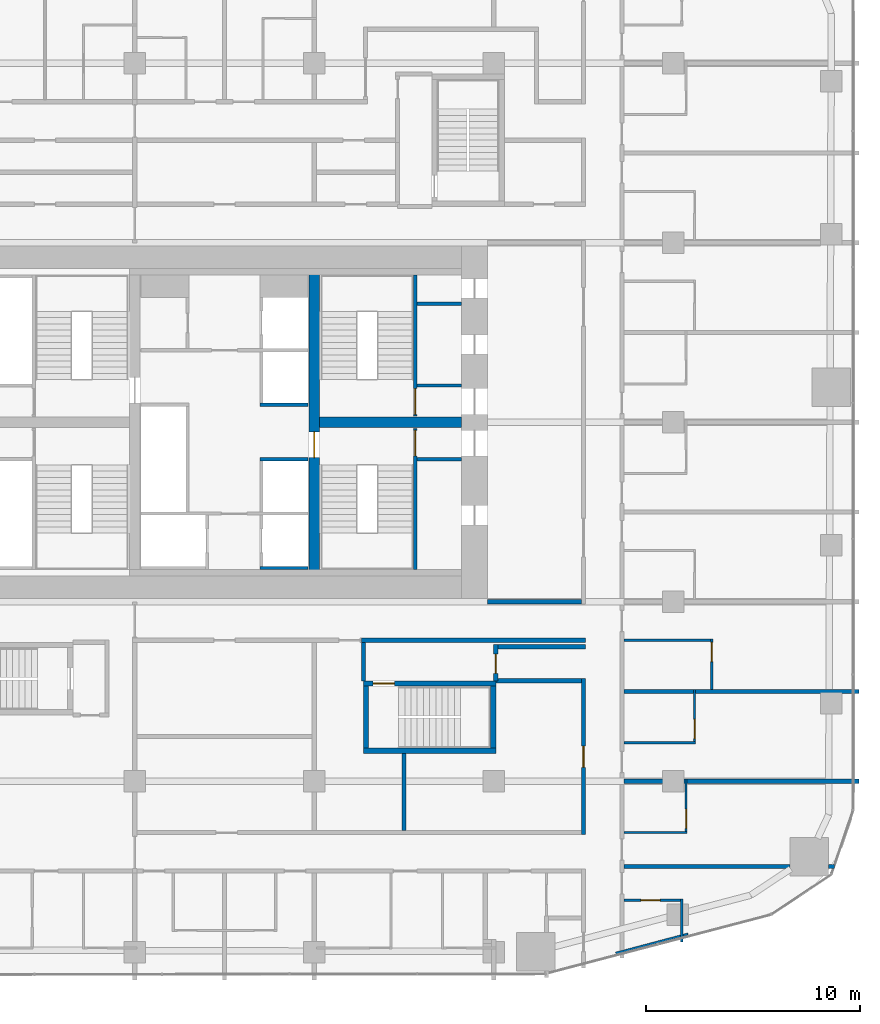
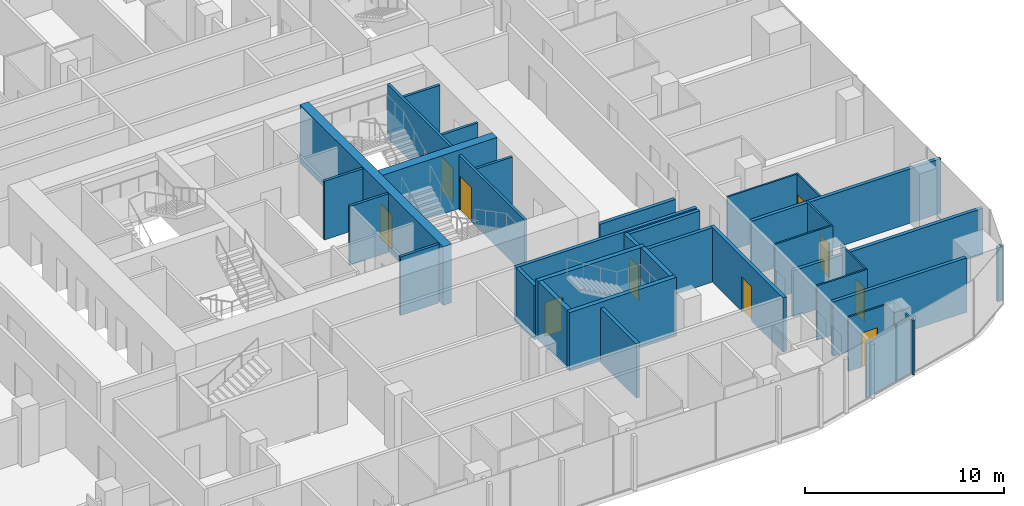
# One storey, part 19 of 26: 35 walls, 10 doors, 10 openings.
"""IFC4 building model written with IfcOpenShell, lengths in metres."""

from ifc_helpers import new_model, si_unit, direction, frame, frame_2d, origin, place, context, subcontext, project, spatial, rectangle, extrude, material, layer, layer_set, type_object, element, fill, save


model = new_model("IFC4")

# Units and contexts
model_context = context("Model", 3, precision=1e-05, world=origin(), true_north=direction((0.0, 1.0)))
body_context = subcontext(model_context, "Body", "Model", "MODEL_VIEW")
ifc_project = project(units=[si_unit("LENGTHUNIT", "METRE"), si_unit("AREAUNIT", "SQUARE_METRE"), si_unit("VOLUMEUNIT", "CUBIC_METRE"), si_unit("PLANEANGLEUNIT", "RADIAN"), si_unit("MASSUNIT", "GRAM", prefix="KILO")], contexts=[model_context])

# Site, building, storey
site_placement = place(None, origin())
site = spatial("IfcSite", under=ifc_project, at=site_placement, CompositionType="ELEMENT")
building_placement = place(site_placement, origin())
building = spatial("IfcBuilding", under=site, at=building_placement, Name="Marenta Gate Hotel Tower", CompositionType="ELEMENT")
storey_placement = place(building_placement, frame((0.0, 0.0, 79.699951171875)))
storey = spatial("IfcBuildingStorey", under=building, at=storey_placement, Name="L18", CompositionType="ELEMENT", Elevation=79.699951171875)

# Walls
ifc_material_1 = material(Name="Concrete blockwork", Category="masonry")
ifc_layer_1 = layer(ifc_material_1, 0.199951171875)
ifc_layer_set_1 = layer_set([ifc_layer_1], Name="Concrete blockwork")
wall_type_1 = type_object("IfcWallType", Name="Core boundary wall 200 REI 180", PredefinedType="PARTITIONING", material=ifc_layer_set_1)
wall_1_placement = place(storey_placement, frame((12.300048828125, 0.0, 0.0), z_axis=(0.0, 0.0, 1.0), x_axis=(1.0, 0.0, 0.0)))
element("IfcWall", 1, at=wall_1_placement, inside=storey, type_object=wall_type_1, Name="L18-CP-EW-ES", PredefinedType="PARTITIONING", context=body_context, shape_type="SweptSolid", body=[
    extrude(rectangle(XDim=4.39990234375, YDim=0.199951171875, at=frame_2d((2.199951171875, 0.0))), origin(), (0.0, 0.0, 1.0), 2.840087890625),
])
ifc_material_2 = material(Name="Concrete blockwork", Category="masonry")
ifc_layer_2 = layer(ifc_material_2, 0.14990234375)
ifc_layer_set_2 = layer_set([ifc_layer_2], Name="Concrete blockwork")
wall_type_2 = type_object("IfcWallType", Name="Core room partition 150 REI 180", PredefinedType="PARTITIONING", material=ifc_layer_set_2)
for number, where, z_axis, x_axis, name in (
    (2, (9.0, 6.675048828125, 0.0), (0.0, 0.0, 1.0), (1.0, 0.0, 0.0), "L18-CP-SW-ES-2"),
    (3, (9.0, 10.125, 0.0), (0.0, 0.0, 1.0), (1.0, 0.0, 0.0), "L18-CP-SW-EN-2"),
    (4, (9.0, 13.949951171875, 0.0), (0.0, 0.0, 1.0), (1.0, 0.0, 0.0), "L18-CP-RW-EN-1"),
):
    element("IfcWall", number, at=place(storey_placement, frame(where, z_axis=z_axis, x_axis=x_axis)), inside=storey, type_object=wall_type_2, Name=name, PredefinedType="PARTITIONING", context=body_context, shape_type="SweptSolid", body=[
        extrude(rectangle(XDim=2.10009765625, YDim=0.14990234375, at=frame_2d((1.050048828125, 0.0))), origin(), (0.0, 0.0, 1.0), 3.340087890625),
    ])
ifc_material_3 = material(Name="Concrete C40", Category="concrete")
ifc_layer_3 = layer(ifc_material_3, 0.14990234375)
ifc_layer_set_3 = layer_set([ifc_layer_3], Name="Concrete C40")
wall_type_3 = type_object("IfcWallType", Name="Core shaft wall 150 REI 180", PredefinedType="SHEAR", material=ifc_layer_set_3)
for number, where, z_axis, x_axis, name in (
    (5, (1.64990234375, 1.574951171875, 0.0), (0.0, 0.0, 1.0), (1.0, 0.0, 0.0), "L18-SHF-CE-S-bot"),
    (6, (1.64990234375, 6.675048828125, 0.0), (0.0, 0.0, 1.0), (1.0, 0.0, 0.0), "L18-SHF-CE-sep1"),
    (7, (1.64990234375, 9.22509765625, 0.0), (0.0, 0.0, 1.0), (1.0, 0.0, 0.0), "L18-SHF-CE-sep2"),
):
    element("IfcWall", number, at=place(storey_placement, frame(where, z_axis=z_axis, x_axis=x_axis)), inside=storey, type_object=wall_type_3, Name=name, PredefinedType="SHEAR", context=body_context, shape_type="SweptSolid", body=[
        extrude(rectangle(XDim=2.25, YDim=0.14990234375, at=frame_2d((1.125, 0.0))), origin(), (0.0, 0.0, 1.0), 3.60009765625),
    ])

# Wall, opening, door
ifc_material_4 = material(Name="Concrete C40", Category="concrete")
ifc_layer_4 = layer(ifc_material_4, 0.14990234375)
ifc_layer_set_4 = layer_set([ifc_layer_4], Name="Concrete C40")
wall_type_4 = type_object("IfcWallType", Name="Core stair enclosure wall 150 REI 180", PredefinedType="SHEAR", material=ifc_layer_set_4)
wall_2_placement = place(storey_placement, frame((8.925048828125, 1.5, 0.0), z_axis=(0.0, 0.0, 1.0), x_axis=(0.0, 1.0, 0.0)))
wall_2 = element("IfcWall", 8, at=wall_2_placement, inside=storey, type_object=wall_type_4, Name="L18-SHF-SW-ES-3", PredefinedType="SHEAR", context=body_context, shape_type="SweptSolid", body=[
    extrude(rectangle(XDim=6.60009765625, YDim=0.14990234375, at=frame_2d((3.300048828125, 0.0))), origin(), (0.0, 0.0, 1.0), 3.340087890625),
])
opening_1_placement = place(wall_2_placement, frame((5.324951171875, 0.0, 0.0)))
opening_1 = element("IfcOpeningElement", 9, at=opening_1_placement, cuts=wall_2, Name="Opening SD-ES", PredefinedType="OPENING", context=body_context, shape_type="SweptSolid", body=[
    extrude(rectangle(XDim=1.199951171875, YDim=2.10009765625, at=frame_2d((0.60009765625, 1.050048828125))), frame((0.0, 0.074951171875, 0.0), z_axis=(0.0, -1.0, 0.0), x_axis=(1.0, 0.0, 0.0)), (0.0, 0.0, 1.0), 0.14990234375),
])
ifc_material_5 = material(Name="Steel", Category="steel")
door_type_1 = type_object("IfcDoorType", Name="Core stair door 1200x2100 FD60", OperationType="SINGLE_SWING_LEFT", PredefinedType="DOOR", material=ifc_material_5)
door_1_placement = place(opening_1_placement, origin())
door_1 = element("IfcDoor", 10, at=door_1_placement, inside=storey, type_object=door_type_1, Name="SD-ES", OperationType="SINGLE_SWING_LEFT", OverallHeight=2.10009765625, OverallWidth=1.199951171875, PredefinedType="DOOR", context=body_context, shape_type="SweptSolid", body=[
    extrude(rectangle(XDim=1.199951171875, YDim=2.10009765625, at=frame_2d((0.60009765625, 1.050048828125))), frame((0.0, 0.02490234375, 0.0), z_axis=(0.0, -1.0, 0.0), x_axis=(1.0, 0.0, 0.0)), (0.0, 0.0, 1.0), 0.050048828125),
])
fill(opening_1, door_1)

wall_3_placement = place(storey_placement, frame((8.925048828125, 8.699951171875, 0.0), z_axis=(0.0, 0.0, 1.0), x_axis=(0.0, 1.0, 0.0)))
wall_3 = element("IfcWall", 11, at=wall_3_placement, inside=storey, type_object=wall_type_4, Name="L18-SHF-SW-EN-3", PredefinedType="SHEAR", context=body_context, shape_type="SweptSolid", body=[
    extrude(rectangle(XDim=6.60009765625, YDim=0.14990234375, at=frame_2d((3.300048828125, 0.0))), origin(), (0.0, 0.0, 1.0), 3.340087890625),
])
opening_2_placement = place(wall_3_placement, frame((0.074951171875, 0.0, 0.0)))
opening_2 = element("IfcOpeningElement", 12, at=opening_2_placement, cuts=wall_3, Name="Opening SD-EN", PredefinedType="OPENING", context=body_context, shape_type="SweptSolid", body=[
    extrude(rectangle(XDim=1.199951171875, YDim=2.10009765625, at=frame_2d((0.60009765625, 1.050048828125))), frame((0.0, 0.074951171875, 0.0), z_axis=(0.0, -1.0, 0.0), x_axis=(1.0, 0.0, 0.0)), (0.0, 0.0, 1.0), 0.14990234375),
])
door_2_placement = place(opening_2_placement, origin())
door_2 = element("IfcDoor", 13, at=door_2_placement, inside=storey, type_object=door_type_1, Name="SD-EN", OperationType="SINGLE_SWING_LEFT", OverallHeight=2.10009765625, OverallWidth=1.199951171875, PredefinedType="DOOR", context=body_context, shape_type="SweptSolid", body=[
    extrude(rectangle(XDim=1.199951171875, YDim=2.10009765625, at=frame_2d((0.60009765625, 1.050048828125))), frame((0.0, 0.02490234375, 0.0), z_axis=(0.0, -1.0, 0.0), x_axis=(1.0, 0.0, 0.0)), (0.0, 0.0, 1.0), 0.050048828125),
])
fill(opening_2, door_2)

ifc_material_6 = material(Name="Concrete C80", Category="concrete")
ifc_layer_5 = layer(ifc_material_6, 0.5)
ifc_layer_set_5 = layer_set([ifc_layer_5], Name="Concrete C80")
wall_type_5 = type_object("IfcWallType", Name="Core web 500 C80", PredefinedType="SHEAR", material=ifc_layer_set_5)
wall_4_placement = place(storey_placement, frame((4.199951171875, 1.199951171875, 0.0), z_axis=(0.0, 0.0, 1.0), x_axis=(0.0, 1.0, 0.0)))
wall_4 = element("IfcWall", 14, at=wall_4_placement, inside=storey, type_object=wall_type_5, Name="L18-CORE-W2", PredefinedType="SHEAR", context=body_context, shape_type="SweptSolid", body=[
    extrude(rectangle(XDim=14.400146484375, YDim=0.5, at=frame_2d((7.2001953125, 0.0))), origin(), (0.0, 0.0, 1.0), 3.60009765625),
])
opening_3_placement = place(wall_4_placement, frame((5.550048828125, 0.0, 0.0)))
opening_3 = element("IfcOpeningElement", 15, at=opening_3_placement, cuts=wall_4, Name="Opening WD-E", PredefinedType="OPENING", context=body_context, shape_type="SweptSolid", body=[
    extrude(rectangle(XDim=1.199951171875, YDim=2.10009765625, at=frame_2d((0.60009765625, 1.050048828125))), frame((0.0, 0.25, 0.0), z_axis=(0.0, -1.0, 0.0), x_axis=(1.0, 0.0, 0.0)), (0.0, 0.0, 1.0), 0.5),
])
door_3_placement = place(opening_3_placement, origin())
door_3 = element("IfcDoor", 16, at=door_3_placement, inside=storey, type_object=door_type_1, Name="WD-E", OperationType="SINGLE_SWING_LEFT", OverallHeight=2.10009765625, OverallWidth=1.199951171875, PredefinedType="DOOR", context=body_context, shape_type="SweptSolid", body=[
    extrude(rectangle(XDim=1.199951171875, YDim=2.10009765625, at=frame_2d((0.60009765625, 1.050048828125))), frame((0.0, 0.02490234375, 0.0), z_axis=(0.0, -1.0, 0.0), x_axis=(1.0, 0.0, 0.0)), (0.0, 0.0, 1.0), 0.050048828125),
])
fill(opening_3, door_3)

# Walls
wall_5_placement = place(storey_placement, frame((4.449951171875, 8.39990234375, 0.0), z_axis=(0.0, 0.0, 1.0), x_axis=(1.0, 0.0, 0.0)))
element("IfcWall", 17, at=wall_5_placement, inside=storey, type_object=wall_type_5, Name="L18-CORE-W4", PredefinedType="SHEAR", context=body_context, shape_type="SweptSolid", body=[
    extrude(rectangle(XDim=6.650146484375, YDim=0.5, at=frame_2d((3.3251953125, 0.0))), origin(), (0.0, 0.0, 1.0), 3.60009765625),
])
ifc_material_7 = material(Name="Concrete C40", Category="concrete")
ifc_layer_6 = layer(ifc_material_7, 0.25)
ifc_layer_set_6 = layer_set([ifc_layer_6], Name="Concrete C40")
wall_type_6 = type_object("IfcWallType", Name="Remote stair enclosure wall 250 REI 180", PredefinedType="SHEAR", material=ifc_layer_set_6)
wall_6_placement = place(storey_placement, frame((6.5, -6.97509765625, 0.10009765625), z_axis=(0.0, 0.0, 1.0), x_axis=(1.0, 0.0, 0.0)))
element("IfcWall", 18, at=wall_6_placement, inside=storey, type_object=wall_type_6, Name="L18-RS-Z1-1-W1", PredefinedType="SHEAR", context=body_context, shape_type="SweptSolid", body=[
    extrude(rectangle(XDim=6.199951171875, YDim=0.25, at=frame_2d((3.10009765625, 0.0))), origin(), (0.0, 0.0, 1.0), 3.599853515625),
])

# Wall, opening, door
wall_7_placement = place(storey_placement, frame((6.5, -3.824951171875, 0.10009765625), z_axis=(0.0, 0.0, 1.0), x_axis=(1.0, 0.0, 0.0)))
wall_7 = element("IfcWall", 19, at=wall_7_placement, inside=storey, type_object=wall_type_6, Name="L18-RS-Z1-1-W2", PredefinedType="SHEAR", context=body_context, shape_type="SweptSolid", body=[
    extrude(rectangle(XDim=6.199951171875, YDim=0.25, at=frame_2d((3.10009765625, 0.0))), origin(), (0.0, 0.0, 1.0), 3.599853515625),
])
opening_4_placement = place(wall_7_placement, frame((0.449951171875, 0.0, 0.0)))
opening_4 = element("IfcOpeningElement", 20, at=opening_4_placement, cuts=wall_7, Name="Opening VD", PredefinedType="OPENING", context=body_context, shape_type="SweptSolid", body=[
    extrude(rectangle(XDim=1.0, YDim=2.10009765625, at=frame_2d((0.5, 1.050048828125))), frame((0.0, 0.125, 0.0), z_axis=(0.0, -1.0, 0.0), x_axis=(1.0, 0.0, 0.0)), (0.0, 0.0, 1.0), 0.25),
])
ifc_material_8 = material(Name="Steel", Category="steel")
door_type_2 = type_object("IfcDoorType", Name="Stair vestibule door 1000x2100 FD60", OperationType="SINGLE_SWING_LEFT", PredefinedType="DOOR", material=ifc_material_8)
door_4_placement = place(opening_4_placement, origin())
door_4 = element("IfcDoor", 21, at=door_4_placement, inside=storey, type_object=door_type_2, Name="VD", OperationType="SINGLE_SWING_LEFT", OverallHeight=2.10009765625, OverallWidth=1.0, PredefinedType="DOOR", context=body_context, shape_type="SweptSolid", body=[
    extrude(rectangle(XDim=1.0, YDim=2.10009765625, at=frame_2d((0.5, 1.050048828125))), frame((0.0, 0.02490234375, 0.0), z_axis=(0.0, -1.0, 0.0), x_axis=(1.0, 0.0, 0.0)), (0.0, 0.0, 1.0), 0.050048828125),
])
fill(opening_4, door_4)

# Walls
for number, where, z_axis, x_axis, name in (
    (22, (6.625, -6.85009765625, 0.10009765625), (0.0, 0.0, 1.0), (0.0, 1.0, 0.0), "L18-RS-Z1-1-W3"),
    (23, (12.574951171875, -6.85009765625, 0.10009765625), (0.0, 0.0, 1.0), (0.0, 1.0, 0.0), "L18-RS-Z1-1-W4"),
):
    element("IfcWall", number, at=place(storey_placement, frame(where, z_axis=z_axis, x_axis=x_axis)), inside=storey, type_object=wall_type_6, Name=name, PredefinedType="SHEAR", context=body_context, shape_type="SweptSolid", body=[
        extrude(rectangle(XDim=2.900146484375, YDim=0.25, at=frame_2d((1.4501953125, 0.0))), origin(), (0.0, 0.0, 1.0), 3.599853515625),
    ])

# Wall, opening, door
ifc_material_9 = material(Name="Gypsum board on steel stud", Category="steel")
ifc_layer_7 = layer(ifc_material_9, 0.199951171875)
ifc_layer_set_7 = layer_set([ifc_layer_7], Name="Gypsum board on steel stud")
wall_type_7 = type_object("IfcWallType", Name="Room corridor wall 200 EI 60", PredefinedType="PARTITIONING", material=ifc_layer_set_7)
wall_8_placement = place(storey_placement, frame((16.800048828125, -10.89990234375, 0.0), z_axis=(0.0, 0.0, 1.0), x_axis=(0.0, 1.0, 0.0)))
wall_8 = element("IfcWall", 24, at=wall_8_placement, inside=storey, type_object=wall_type_7, Name="L18-PTN-W017", PredefinedType="PARTITIONING", context=body_context, shape_type="SweptSolid", body=[
    extrude(rectangle(XDim=7.2998046875, YDim=0.199951171875, at=frame_2d((3.64990234375, 0.0))), origin(), (0.0, 0.0, 1.0), 3.340087890625),
])
opening_5_placement = place(wall_8_placement, frame((3.14990234375, 0.0, 0.0)))
opening_5 = element("IfcOpeningElement", 25, at=opening_5_placement, cuts=wall_8, Name="Opening G07-68", PredefinedType="OPENING", context=body_context, shape_type="SweptSolid", body=[
    extrude(rectangle(XDim=1.0, YDim=2.10009765625, at=frame_2d((0.5, 1.050048828125))), frame((0.0, 0.10009765625, 0.0), z_axis=(0.0, -1.0, 0.0), x_axis=(1.0, 0.0, 0.0)), (0.0, 0.0, 1.0), 0.199951171875),
])
ifc_material_10 = material(Name="Timber door leaf", Category="wood")
door_type_3 = type_object("IfcDoorType", Name="Room amenity door 1000x2100 EI 30", OperationType="NOTDEFINED", PredefinedType="DOOR", material=ifc_material_10)
door_5_placement = place(opening_5_placement, origin())
door_5 = element("IfcDoor", 26, at=door_5_placement, inside=storey, type_object=door_type_3, Name="L18-PD-D068", OperationType="SINGLE_SWING_RIGHT", OverallHeight=2.10009765625, OverallWidth=1.0, PredefinedType="DOOR", context=body_context, shape_type="SweptSolid", body=[
    extrude(rectangle(XDim=1.0, YDim=2.10009765625, at=frame_2d((0.5, 1.050048828125))), frame((0.0, 0.02490234375, 0.0), z_axis=(0.0, -1.0, 0.0), x_axis=(1.0, 0.0, 0.0)), (0.0, 0.0, 1.0), 0.050048828125),
])
fill(opening_5, door_5)

# Wall
wall_9_placement = place(storey_placement, frame((12.699951171875, -3.699951171875, 0.0), z_axis=(0.0, 0.0, 1.0), x_axis=(1.0, 0.0, 0.0)))
element("IfcWall", 27, at=wall_9_placement, inside=storey, type_object=wall_type_7, Name="L18-PTN-W062", PredefinedType="PARTITIONING", context=body_context, shape_type="SweptSolid", body=[
    extrude(rectangle(XDim=4.0, YDim=0.199951171875, at=frame_2d((2.0, 0.0))), origin(), (0.0, 0.0, 1.0), 3.340087890625),
])

# Wall, opening, door
ifc_material_11 = material(Name="Concrete blockwork", Category="masonry")
ifc_layer_8 = layer(ifc_material_11, 0.199951171875)
ifc_layer_set_8 = layer_set([ifc_layer_8], Name="Concrete blockwork")
wall_type_8 = type_object("IfcWallType", Name="Room corridor wall 200 REI 180", PredefinedType="PARTITIONING", material=ifc_layer_set_8)
wall_10_placement = place(storey_placement, frame((12.699951171875, -3.699951171875, 0.0), z_axis=(0.0, 0.0, 1.0), x_axis=(0.0, 1.0, 0.0)))
wall_10 = element("IfcWall", 28, at=wall_10_placement, inside=storey, type_object=wall_type_8, Name="L18-PTN-W034", PredefinedType="PARTITIONING", context=body_context, shape_type="SweptSolid", body=[
    extrude(rectangle(XDim=1.699951171875, YDim=0.199951171875, at=frame_2d((0.85009765625, 0.0))), origin(), (0.0, 0.0, 1.0), 3.340087890625),
])
opening_6_placement = place(wall_10_placement, frame((0.35009765625, 0.0, 0.0)))
opening_6 = element("IfcOpeningElement", 29, at=opening_6_placement, cuts=wall_10, Name="Opening G07-64", PredefinedType="OPENING", context=body_context, shape_type="SweptSolid", body=[
    extrude(rectangle(XDim=0.89990234375, YDim=2.10009765625, at=frame_2d((0.449951171875, 1.050048828125))), frame((0.0, 0.10009765625, 0.0), z_axis=(0.0, -1.0, 0.0), x_axis=(1.0, 0.0, 0.0)), (0.0, 0.0, 1.0), 0.199951171875),
])
ifc_material_12 = material(Name="Hollow steel door set", Category="steel")
door_type_4 = type_object("IfcDoorType", Name="Stair vestibule door 900x2100 EI 60", OperationType="NOTDEFINED", PredefinedType="DOOR", material=ifc_material_12)
door_6_placement = place(opening_6_placement, origin())
door_6 = element("IfcDoor", 30, at=door_6_placement, inside=storey, type_object=door_type_4, Name="L18-PD-D064", OperationType="SINGLE_SWING_LEFT", OverallHeight=2.10009765625, OverallWidth=0.89990234375, PredefinedType="DOOR", context=body_context, shape_type="SweptSolid", body=[
    extrude(rectangle(XDim=0.89990234375, YDim=2.10009765625, at=frame_2d((0.449951171875, 1.050048828125))), frame((0.0, 0.02490234375, 0.0), z_axis=(0.0, -1.0, 0.0), x_axis=(1.0, 0.0, 0.0)), (0.0, 0.0, 1.0), 0.050048828125),
])
fill(opening_6, door_6)

# Walls
wall_11_placement = place(storey_placement, frame((12.800048828125, -2.10009765625, 0.0), z_axis=(0.0, 0.0, 1.0), x_axis=(1.0, 0.0, 0.0)))
element("IfcWall", 31, at=wall_11_placement, inside=storey, type_object=wall_type_8, Name="L18-PTN-W064", PredefinedType="PARTITIONING", context=body_context, shape_type="SweptSolid", body=[
    extrude(rectangle(XDim=4.099853515625, YDim=0.199951171875, at=frame_2d((2.0498046875, 0.0))), origin(), (0.0, 0.0, 1.0), 3.340087890625),
])
wall_12_placement = place(storey_placement, frame((6.39990234375, -1.800048828125, 0.0), z_axis=(0.0, 0.0, 1.0), x_axis=(1.0, 0.0, 0.0)))
element("IfcWall", 32, at=wall_12_placement, inside=storey, type_object=wall_type_8, Name="L18-PTN-W069", PredefinedType="PARTITIONING", context=body_context, shape_type="SweptSolid", body=[
    extrude(rectangle(XDim=10.5, YDim=0.199951171875, at=frame_2d((5.25, 0.0))), origin(), (0.0, 0.0, 1.0), 3.340087890625),
])

# Wall, opening, door
ifc_material_13 = material(Name="Gypsum board on steel stud", Category="steel")
ifc_layer_9 = layer(ifc_material_13, 0.10009765625)
ifc_layer_set_9 = layer_set([ifc_layer_9], Name="Gypsum board on steel stud")
wall_type_9 = type_object("IfcWallType", Name="Room partition 100", PredefinedType="PARTITIONING", material=ifc_layer_set_9)
wall_13_placement = place(storey_placement, frame((22.800048828125, -4.10009765625, 0.0), z_axis=(0.0, 0.0, 1.0), x_axis=(0.0, 1.0, 0.0)))
wall_13 = element("IfcWall", 33, at=wall_13_placement, inside=storey, type_object=wall_type_9, Name="L18-PTN-W001", PredefinedType="PARTITIONING", context=body_context, shape_type="SweptSolid", body=[
    extrude(rectangle(XDim=2.35009765625, YDim=0.10009765625, at=frame_2d((1.175048828125, 0.0))), origin(), (0.0, 0.0, 1.0), 3.340087890625),
])
opening_7_placement = place(wall_13_placement, frame((1.300048828125, 0.0, 0.0)))
opening_7 = element("IfcOpeningElement", 34, at=opening_7_placement, cuts=wall_13, Name="Opening G07-14", PredefinedType="OPENING", context=body_context, shape_type="SweptSolid", body=[
    extrude(rectangle(XDim=0.89990234375, YDim=2.10009765625, at=frame_2d((0.449951171875, 1.050048828125))), frame((0.0, 0.050048828125, 0.0), z_axis=(0.0, -1.0, 0.0), x_axis=(1.0, 0.0, 0.0)), (0.0, 0.0, 1.0), 0.10009765625),
])
ifc_material_14 = material(Name="Timber door leaf", Category="wood")
door_type_5 = type_object("IfcDoorType", Name="Guest bathroom door 900x2100", OperationType="NOTDEFINED", PredefinedType="DOOR", material=ifc_material_14)
door_7_placement = place(opening_7_placement, origin())
door_7 = element("IfcDoor", 35, at=door_7_placement, inside=storey, type_object=door_type_5, Name="L18-PD-D014", OperationType="SINGLE_SWING_RIGHT", OverallHeight=2.10009765625, OverallWidth=0.89990234375, PredefinedType="DOOR", context=body_context, shape_type="SweptSolid", body=[
    extrude(rectangle(XDim=0.89990234375, YDim=2.10009765625, at=frame_2d((0.449951171875, 1.050048828125))), frame((0.0, 0.02490234375, 0.0), z_axis=(0.0, -1.0, 0.0), x_axis=(1.0, 0.0, 0.0)), (0.0, 0.0, 1.0), 0.050048828125),
])
fill(opening_7, door_7)

wall_14_placement = place(storey_placement, frame((22.0, -6.550048828125, 0.0), z_axis=(0.0, 0.0, 1.0), x_axis=(0.0, 1.0, 0.0)))
wall_14 = element("IfcWall", 36, at=wall_14_placement, inside=storey, type_object=wall_type_9, Name="L18-PTN-W002", PredefinedType="PARTITIONING", context=body_context, shape_type="SweptSolid", body=[
    extrude(rectangle(XDim=2.449951171875, YDim=0.10009765625, at=frame_2d((1.22509765625, 0.0))), origin(), (0.0, 0.0, 1.0), 3.340087890625),
])
opening_8_placement = place(wall_14_placement, frame((0.14990234375, 0.0, 0.0)))
opening_8 = element("IfcOpeningElement", 37, at=opening_8_placement, cuts=wall_14, Name="Opening G07-12", PredefinedType="OPENING", context=body_context, shape_type="SweptSolid", body=[
    extrude(rectangle(XDim=0.89990234375, YDim=2.10009765625, at=frame_2d((0.449951171875, 1.050048828125))), frame((0.0, 0.050048828125, 0.0), z_axis=(0.0, -1.0, 0.0), x_axis=(1.0, 0.0, 0.0)), (0.0, 0.0, 1.0), 0.10009765625),
])
door_8_placement = place(opening_8_placement, origin())
door_8 = element("IfcDoor", 38, at=door_8_placement, inside=storey, type_object=door_type_5, Name="L18-PD-D012", OperationType="SINGLE_SWING_LEFT", OverallHeight=2.10009765625, OverallWidth=0.89990234375, PredefinedType="DOOR", context=body_context, shape_type="SweptSolid", body=[
    extrude(rectangle(XDim=0.89990234375, YDim=2.10009765625, at=frame_2d((0.449951171875, 1.050048828125))), frame((0.0, 0.02490234375, 0.0), z_axis=(0.0, -1.0, 0.0), x_axis=(1.0, 0.0, 0.0)), (0.0, 0.0, 1.0), 0.050048828125),
])
fill(opening_8, door_8)

wall_15_placement = place(storey_placement, frame((21.60009765625, -10.75, 0.0), z_axis=(0.0, 0.0, 1.0), x_axis=(0.0, 1.0, 0.0)))
wall_15 = element("IfcWall", 39, at=wall_15_placement, inside=storey, type_object=wall_type_9, Name="L18-PTN-W006", PredefinedType="PARTITIONING", context=body_context, shape_type="SweptSolid", body=[
    extrude(rectangle(XDim=2.449951171875, YDim=0.10009765625, at=frame_2d((1.22509765625, 0.0))), origin(), (0.0, 0.0, 1.0), 3.340087890625),
])
opening_9_placement = place(wall_15_placement, frame((0.14990234375, 0.0, 0.0)))
opening_9 = element("IfcOpeningElement", 40, at=opening_9_placement, cuts=wall_15, Name="Opening G07-10", PredefinedType="OPENING", context=body_context, shape_type="SweptSolid", body=[
    extrude(rectangle(XDim=0.89990234375, YDim=2.10009765625, at=frame_2d((0.449951171875, 1.050048828125))), frame((0.0, 0.050048828125, 0.0), z_axis=(0.0, -1.0, 0.0), x_axis=(1.0, 0.0, 0.0)), (0.0, 0.0, 1.0), 0.10009765625),
])
door_9_placement = place(opening_9_placement, origin())
door_9 = element("IfcDoor", 41, at=door_9_placement, inside=storey, type_object=door_type_5, Name="L18-PD-D010", OperationType="SINGLE_SWING_LEFT", OverallHeight=2.10009765625, OverallWidth=0.89990234375, PredefinedType="DOOR", context=body_context, shape_type="SweptSolid", body=[
    extrude(rectangle(XDim=0.89990234375, YDim=2.10009765625, at=frame_2d((0.449951171875, 1.050048828125))), frame((0.0, 0.02490234375, 0.0), z_axis=(0.0, -1.0, 0.0), x_axis=(1.0, 0.0, 0.0)), (0.0, 0.0, 1.0), 0.050048828125),
])
fill(opening_9, door_9)

# Walls
wall_16_placement = place(storey_placement, frame((21.39990234375, -15.922119140625, 0.0), z_axis=(0.0, 0.0, 1.0), x_axis=(0.0, 1.0, 0.0)))
element("IfcWall", 42, at=wall_16_placement, inside=storey, type_object=wall_type_9, Name="L18-PTN-W010", PredefinedType="PARTITIONING", context=body_context, shape_type="SweptSolid", body=[
    extrude(rectangle(XDim=2.007080078125, YDim=0.10009765625, at=frame_2d((1.00341796875, 0.0))), origin(), (0.0, 0.0, 1.0), 3.340087890625),
])
wall_17_placement = place(storey_placement, frame((18.31005859375, -16.44189453125, 0.0), z_axis=(0.0, 0.0, 1.0), x_axis=(0.966542484633, 0.25650657964, 0.0)))
element("IfcWall", 43, at=wall_17_placement, inside=storey, type_object=wall_type_9, Name="L18-PTN-W014", PredefinedType="PARTITIONING", context=body_context, shape_type="SweptSolid", body=[
    extrude(rectangle(XDim=3.496826171875, YDim=0.10009765625, at=frame_2d((1.74853515625, 0.0))), origin(), (0.0, 0.0, 1.0), 3.340087890625),
])

# Wall, opening, door
wall_18_placement = place(storey_placement, frame((18.699951171875, -13.965087890625, 0.0), z_axis=(0.0, 0.0, 1.0), x_axis=(1.0, 0.0, 0.0)))
wall_18 = element("IfcWall", 44, at=wall_18_placement, inside=storey, type_object=wall_type_9, Name="L18-PTN-W032", PredefinedType="PARTITIONING", context=body_context, shape_type="SweptSolid", body=[
    extrude(rectangle(XDim=2.650146484375, YDim=0.10009765625, at=frame_2d((1.3251953125, 0.0))), origin(), (0.0, 0.0, 1.0), 3.340087890625),
])
opening_10_placement = place(wall_18_placement, frame((0.7900390625, 0.0, 0.0)))
opening_10 = element("IfcOpeningElement", 45, at=opening_10_placement, cuts=wall_18, Name="Opening G07-08", PredefinedType="OPENING", context=body_context, shape_type="SweptSolid", body=[
    extrude(rectangle(XDim=0.89990234375, YDim=2.10009765625, at=frame_2d((0.449951171875, 1.050048828125))), frame((0.0, 0.050048828125, 0.0), z_axis=(0.0, -1.0, 0.0), x_axis=(1.0, 0.0, 0.0)), (0.0, 0.0, 1.0), 0.10009765625),
])
door_10_placement = place(opening_10_placement, origin())
door_10 = element("IfcDoor", 46, at=door_10_placement, inside=storey, type_object=door_type_5, Name="L18-PD-D008", OperationType="SINGLE_SWING_LEFT", OverallHeight=2.10009765625, OverallWidth=0.89990234375, PredefinedType="DOOR", context=body_context, shape_type="SweptSolid", body=[
    extrude(rectangle(XDim=0.89990234375, YDim=2.10009765625, at=frame_2d((0.449951171875, 1.050048828125))), frame((0.0, 0.02490234375, 0.0), z_axis=(0.0, -1.0, 0.0), x_axis=(1.0, 0.0, 0.0)), (0.0, 0.0, 1.0), 0.050048828125),
])
fill(opening_10, door_10)

# Walls
wall_19_placement = place(storey_placement, frame((18.699951171875, -10.800048828125, 0.0), z_axis=(0.0, 0.0, 1.0), x_axis=(1.0, 0.0, 0.0)))
element("IfcWall", 47, at=wall_19_placement, inside=storey, type_object=wall_type_9, Name="L18-PTN-W041", PredefinedType="PARTITIONING", context=body_context, shape_type="SweptSolid", body=[
    extrude(rectangle(XDim=2.949951171875, YDim=0.10009765625, at=frame_2d((1.47509765625, 0.0))), origin(), (0.0, 0.0, 1.0), 3.340087890625),
])
wall_20_placement = place(storey_placement, frame((18.699951171875, -6.60009765625, 0.0), z_axis=(0.0, 0.0, 1.0), x_axis=(1.0, 0.0, 0.0)))
element("IfcWall", 48, at=wall_20_placement, inside=storey, type_object=wall_type_9, Name="L18-PTN-W052", PredefinedType="PARTITIONING", context=body_context, shape_type="SweptSolid", body=[
    extrude(rectangle(XDim=3.35009765625, YDim=0.10009765625, at=frame_2d((1.675048828125, 0.0))), origin(), (0.0, 0.0, 1.0), 3.340087890625),
])
wall_21_placement = place(storey_placement, frame((18.699951171875, -1.800048828125, 0.0), z_axis=(0.0, 0.0, 1.0), x_axis=(1.0, 0.0, 0.0)))
element("IfcWall", 49, at=wall_21_placement, inside=storey, type_object=wall_type_9, Name="L18-PTN-W070", PredefinedType="PARTITIONING", context=body_context, shape_type="SweptSolid", body=[
    extrude(rectangle(XDim=4.050048828125, YDim=0.10009765625, at=frame_2d((2.02490234375, 0.0))), origin(), (0.0, 0.0, 1.0), 3.340087890625),
])
ifc_material_15 = material(Name="Gypsum board on steel stud", Category="steel")
ifc_layer_10 = layer(ifc_material_15, 0.199951171875)
ifc_layer_set_10 = layer_set([ifc_layer_10], Name="Gypsum board on steel stud")
wall_type_10 = type_object("IfcWallType", Name="Room party wall 200 EI 60", PredefinedType="PARTITIONING", material=ifc_layer_set_10)
wall_22_placement = place(storey_placement, frame((18.699951171875, -12.383056640625, 0.0), z_axis=(0.0, 0.0, 1.0), x_axis=(1.0, 0.0, 0.0)))
element("IfcWall", 50, at=wall_22_placement, inside=storey, type_object=wall_type_10, Name="L18-PTN-W038", PredefinedType="PARTITIONING", context=body_context, shape_type="SweptSolid", body=[
    extrude(rectangle(XDim=7.762939453125, YDim=0.199951171875, at=frame_2d((3.88134765625, 0.0))), origin(), (0.0, 0.0, 1.0), 3.340087890625),
])
wall_23_placement = place(storey_placement, frame((28.262939453125, -12.383056640625, 0.0), z_axis=(0.0, 0.0, 1.0), x_axis=(1.0, 0.0, 0.0)))
element("IfcWall", 51, at=wall_23_placement, inside=storey, type_object=wall_type_10, Name="L18-PTN-W151", PredefinedType="PARTITIONING", context=body_context, shape_type="SweptSolid", body=[
    extrude(rectangle(XDim=0.2900390625, YDim=0.199951171875, at=frame_2d((0.14501953125, 0.0))), origin(), (0.0, 0.0, 1.0), 3.340087890625),
])
wall_24_placement = place(storey_placement, frame((8.39990234375, -10.699951171875, 0.0), z_axis=(0.0, 0.0, 1.0), x_axis=(0.0, 1.0, 0.0)))
element("IfcWall", 52, at=wall_24_placement, inside=storey, type_object=wall_type_10, Name="L18-PTN-W045", PredefinedType="PARTITIONING", context=body_context, shape_type="SweptSolid", body=[
    extrude(rectangle(XDim=3.599853515625, YDim=0.199951171875, at=frame_2d((1.7998046875, 0.0))), origin(), (0.0, 0.0, 1.0), 3.340087890625),
])
wall_25_placement = place(storey_placement, frame((18.699951171875, -8.39990234375, 0.0), z_axis=(0.0, 0.0, 1.0), x_axis=(1.0, 0.0, 0.0)))
element("IfcWall", 53, at=wall_25_placement, inside=storey, type_object=wall_type_10, Name="L18-PTN-W047", PredefinedType="PARTITIONING", context=body_context, shape_type="SweptSolid", body=[
    extrude(rectangle(XDim=11.0, YDim=0.199951171875, at=frame_2d((5.5, 0.0))), origin(), (0.0, 0.0, 1.0), 2.840087890625),
])
wall_26_placement = place(storey_placement, frame((18.699951171875, -4.199951171875, 0.0), z_axis=(0.0, 0.0, 1.0), x_axis=(1.0, 0.0, 0.0)))
element("IfcWall", 54, at=wall_26_placement, inside=storey, type_object=wall_type_10, Name="L18-PTN-W061", PredefinedType="PARTITIONING", context=body_context, shape_type="SweptSolid", body=[
    extrude(rectangle(XDim=11.0, YDim=0.199951171875, at=frame_2d((5.5, 0.0))), origin(), (0.0, 0.0, 1.0), 3.340087890625),
])
ifc_material_16 = material(Name="Concrete blockwork", Category="masonry")
ifc_layer_11 = layer(ifc_material_16, 0.199951171875)
ifc_layer_set_11 = layer_set([ifc_layer_11], Name="Concrete blockwork")
wall_type_11 = type_object("IfcWallType", Name="Room party wall 200 REI 180", PredefinedType="PARTITIONING", material=ifc_layer_set_11)
wall_27_placement = place(storey_placement, frame((6.5, -3.699951171875, 0.0), z_axis=(0.0, 0.0, 1.0), x_axis=(0.0, 1.0, 0.0)))
element("IfcWall", 55, at=wall_27_placement, inside=storey, type_object=wall_type_11, Name="L18-PTN-W053", PredefinedType="PARTITIONING", context=body_context, shape_type="SweptSolid", body=[
    extrude(rectangle(XDim=1.800048828125, YDim=0.199951171875, at=frame_2d((0.89990234375, 0.0))), origin(), (0.0, 0.0, 1.0), 3.340087890625),
])

save(model, "model.ifc")
